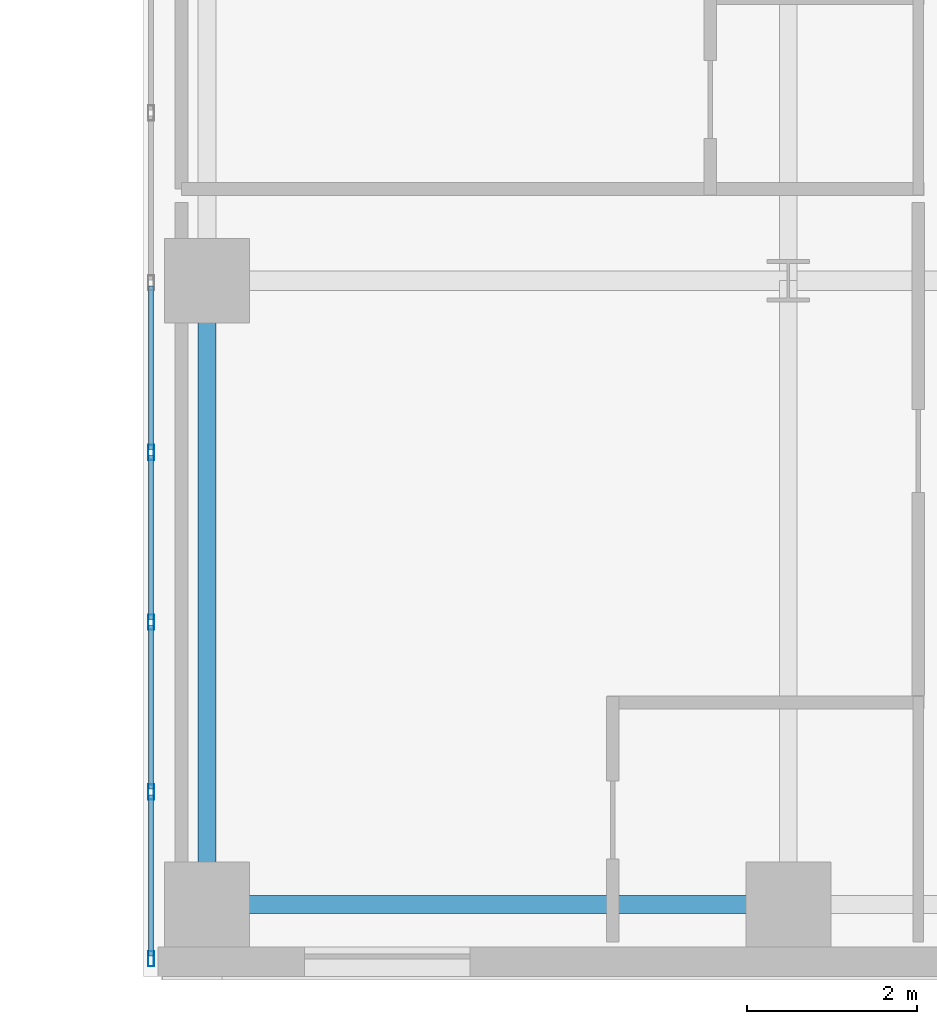
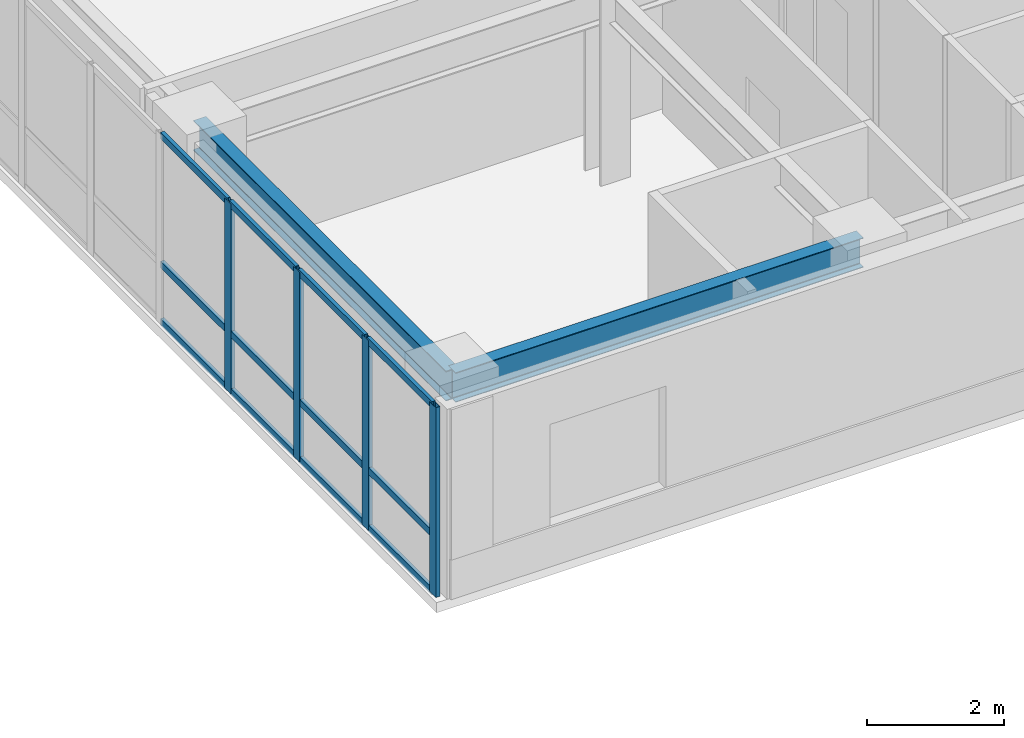
# One storey, part 7 of 24: 16 members, 2 beams, 1 element without a shape of its own.
"""IFC4 building model written with IfcOpenShell, lengths in metres."""

from ifc_helpers import new_model, si_unit, direction, frame, origin, origin_2d, place, context, subcontext, project, spatial, hollow_rectangle, i_section, extrude, source, transform, mapped, material, layer, layer_set, material_profile, profile_set, type_object, type_shapes, element, aggregate, save


model = new_model("IFC4")

# Units and contexts
model_context = context("Model", 3, precision=1e-05, world=origin(), true_north=direction((0.0, 1.0)))
body_context = subcontext(model_context, "Body", "Model", "MODEL_VIEW")
ifc_project = project(units=[si_unit("LENGTHUNIT", "METRE"), si_unit("AREAUNIT", "SQUARE_METRE"), si_unit("VOLUMEUNIT", "CUBIC_METRE"), si_unit("PLANEANGLEUNIT", "RADIAN"), si_unit("MASSUNIT", "GRAM", prefix="KILO")], contexts=[model_context])

# Site, building, storey
site_placement = place(None, origin())
site = spatial("IfcSite", under=ifc_project, at=site_placement, CompositionType="ELEMENT")
building_placement = place(site_placement, origin())
building = spatial("IfcBuilding", under=site, at=building_placement, Name="Tolvann Quenvar Hotel", CompositionType="ELEMENT")
storey_placement = place(building_placement, frame((0.0, 0.0, 67.5)))
storey = spatial("IfcBuildingStorey", under=building, at=storey_placement, Name="L16", CompositionType="ELEMENT", Elevation=67.5)

# Beams
ifc_material_1 = material(Name="Steel Grade 350", Category="steel")
ifc_material_profile_1 = material_profile(ifc_material_1, i_section(OverallWidth=0.208984375, OverallDepth=0.528076171875, WebThickness=0.009521484375, FlangeThickness=0.01318359375, FilletRadius=0.013916015625, at=origin_2d()), Name="530UB82")
ifc_profile_set_1 = profile_set([ifc_material_profile_1], Name="Steel Grade 350")
beam_type_1 = type_object("IfcBeamType", Name="BM_SPAND_530UB82", PredefinedType="SPANDREL", material=ifc_profile_set_1)
shared_shape_1 = source(origin(), body_context, "Body", "SweptSolid", [
    extrude(i_section(OverallWidth=0.208984375, OverallDepth=0.528076171875, WebThickness=0.009521484375, FlangeThickness=0.01318359375, FilletRadius=0.013916015625, at=origin_2d()), origin(), (0.0, 0.0, 1.0), 6.85009765625),
])
type_shapes(beam_type_1, [shared_shape_1])
beam_1_placement = place(storey_placement, frame((34.949951171875, 0.85009765625, 3.10595703125), z_axis=(1.0, 0.0, 0.0), x_axis=(0.0, 1.0, 0.0)))
element("IfcBeam", 1, at=beam_1_placement, inside=storey, type_object=beam_type_1, Name="BM-L16-EW-2-F2-H2", PredefinedType="SPANDREL", context=body_context, shape_type="MappedRepresentation", body=[
    mapped(shared_shape_1, transform((0.0, 0.0, 0.0), x_axis=(1.0, 0.0, 0.0), y_axis=(0.0, 1.0, 0.0), z_axis=(0.0, 0.0, 1.0), scale=1.0)),
])
ifc_material_profile_2 = material_profile(ifc_material_1, i_section(OverallWidth=0.208984375, OverallDepth=0.532958984375, WebThickness=0.01025390625, FlangeThickness=0.015625, FilletRadius=0.013916015625, at=origin_2d()), Name="530UB92")
ifc_profile_set_2 = profile_set([ifc_material_profile_2], Name="Steel Grade 350")
beam_type_2 = type_object("IfcBeamType", Name="BM_GIRD_530UB92", PredefinedType="BEAM", material=ifc_profile_set_2)
shared_shape_2 = source(origin(), body_context, "Body", "SweptSolid", [
    extrude(i_section(OverallWidth=0.208984375, OverallDepth=0.532958984375, WebThickness=0.01025390625, FlangeThickness=0.015625, FilletRadius=0.013916015625, at=origin_2d()), origin(), (0.0, 0.0, 1.0), 7.349853515625),
])
type_shapes(beam_type_2, [shared_shape_2])
beam_2_placement = place(storey_placement, frame((34.949951171875, 0.85009765625, 3.103515625), z_axis=(0.0, 1.0, 0.0), x_axis=(-1.0, 0.0, 0.0)))
element("IfcBeam", 2, at=beam_2_placement, inside=storey, type_object=beam_type_2, Name="BM-L16-NS-F2-F3", PredefinedType="BEAM", context=body_context, shape_type="MappedRepresentation", body=[
    mapped(shared_shape_2, transform((0.0, 0.0, 0.0), x_axis=(1.0, 0.0, 0.0), y_axis=(0.0, 1.0, 0.0), z_axis=(0.0, 0.0, 1.0), scale=1.0)),
])

# Curtain wall, members
ifc_material_2 = material(Name="Thermally broken anodised architectural aluminium 6063-T6 and laminated low-E glass", Category="aluminium")
ifc_layer = layer(ifc_material_2, 0.179931640625)
ifc_layer_set = layer_set([ifc_layer], Name="Thermally broken anodised architectural aluminium 6063-T6 and laminated low-E glass")
curtain_wall_type = type_object("IfcCurtainWallType", Name="CW_SYS_SLOT_03", PredefinedType="USERDEFINED", material=ifc_layer_set)
curtain_wall_placement = place(storey_placement, origin())
curtain_wall = element("IfcCurtainWall", 3, at=curtain_wall_placement, inside=storey, type_object=curtain_wall_type, Name="Curtain Wall CW-SLOT-03 (CWR-L16-E07)", ObjectType="UNITISED CURTAIN WALL", PredefinedType="USERDEFINED")
ifc_material_3 = material(Name="Anodised architectural aluminium 6063-T6 framing", Category="aluminium")
ifc_material_profile_3 = material_profile(ifc_material_3, hollow_rectangle(XDim=0.070068359375, YDim=0.179931640625, WallThickness=0.00390625, at=origin_2d()), Name="180x70x4RHS")
ifc_profile_set_3 = profile_set([ifc_material_profile_3], Name="Anodised architectural aluminium 6063-T6 framing")
member_type_1 = type_object("IfcMemberType", Name="CW_MULL_180x70", PredefinedType="MULLION", material=ifc_profile_set_3)
shared_shape_3 = source(origin(), body_context, "Body", "SweptSolid", [
    extrude(hollow_rectangle(XDim=0.070068359375, YDim=0.179931640625, WallThickness=0.00390625, at=origin_2d()), origin(), (0.0, 0.0, 1.0), 3.3701171875),
])
type_shapes(member_type_1, [shared_shape_3])
member_1_placement = place(storey_placement, frame((34.2900390625, 6.175048828125, 0.0), z_axis=(0.0, 0.0, 1.0), x_axis=(1.0, 0.0, 0.0)))
member_1 = element("IfcMember", 4, at=member_1_placement, type_object=member_type_1, Name="CW-SLOT-03 mullion 6", PredefinedType="MULLION", context=body_context, shape_type="MappedRepresentation", body=[
    mapped(shared_shape_3, transform((0.0, 0.0, 0.0), x_axis=(1.0, 0.0, 0.0), y_axis=(0.0, 1.0, 0.0), z_axis=(0.0, 0.0, 1.0), scale=1.0)),
])
member_2_placement = place(storey_placement, frame((34.2900390625, 4.175048828125, 0.0), z_axis=(0.0, 0.0, 1.0), x_axis=(1.0, 0.0, 0.0)))
member_2 = element("IfcMember", 5, at=member_2_placement, type_object=member_type_1, Name="CW-SLOT-03 mullion 7", PredefinedType="MULLION", context=body_context, shape_type="MappedRepresentation", body=[
    mapped(shared_shape_3, transform((0.0, 0.0, 0.0), x_axis=(1.0, 0.0, 0.0), y_axis=(0.0, 1.0, 0.0), z_axis=(0.0, 0.0, 1.0), scale=1.0)),
])
member_3_placement = place(storey_placement, frame((34.2900390625, 2.175048828125, 0.0), z_axis=(0.0, 0.0, 1.0), x_axis=(1.0, 0.0, 0.0)))
member_3 = element("IfcMember", 6, at=member_3_placement, type_object=member_type_1, Name="CW-SLOT-03 mullion 8", PredefinedType="MULLION", context=body_context, shape_type="MappedRepresentation", body=[
    mapped(shared_shape_3, transform((0.0, 0.0, 0.0), x_axis=(1.0, 0.0, 0.0), y_axis=(0.0, 1.0, 0.0), z_axis=(0.0, 0.0, 1.0), scale=1.0)),
])
member_4_placement = place(storey_placement, frame((34.2900390625, 0.2099609375, 0.0), z_axis=(0.0, 0.0, 1.0), x_axis=(1.0, 0.0, 0.0)))
member_4 = element("IfcMember", 7, at=member_4_placement, type_object=member_type_1, Name="CW-SLOT-03 mullion 9", PredefinedType="MULLION", context=body_context, shape_type="MappedRepresentation", body=[
    mapped(shared_shape_3, transform((0.0, 0.0, 0.0), x_axis=(1.0, 0.0, 0.0), y_axis=(0.0, 1.0, 0.0), z_axis=(0.0, 0.0, 1.0), scale=1.0)),
])
ifc_material_profile_4 = material_profile(ifc_material_3, hollow_rectangle(XDim=0.06005859375, YDim=0.1201171875, WallThickness=0.00341796875, at=origin_2d()), Name="120x60x3.5RHS")
ifc_profile_set_4 = profile_set([ifc_material_profile_4], Name="Anodised architectural aluminium 6063-T6 framing")
member_type_2 = type_object("IfcMemberType", Name="CW_TRAN_120x60", PredefinedType="USERDEFINED", material=ifc_profile_set_4)
shared_shape_4 = source(origin(), body_context, "Body", "SweptSolid", [
    extrude(hollow_rectangle(XDim=0.06005859375, YDim=0.1201171875, WallThickness=0.00341796875, at=origin_2d()), origin(), (0.0, 0.0, 1.0), 1.894775390625),
])
member_5_placement = place(storey_placement, frame((34.2900390625, 2.139892578125, 0.030029296875), z_axis=(0.0, -1.0, 0.0), x_axis=(1.0, 0.0, 0.0)))
member_5 = element("IfcMember", 8, at=member_5_placement, type_object=member_type_2, Name="CW-SLOT-03 transom 8.1", ObjectType="TRANSOM", PredefinedType="USERDEFINED", context=body_context, shape_type="MappedRepresentation", body=[
    mapped(shared_shape_4, transform((0.0, 0.0, 0.0), x_axis=(1.0, 0.0, 0.0), y_axis=(0.0, 1.0, 0.0), z_axis=(0.0, 0.0, 1.0), scale=1.0)),
])
member_6_placement = place(storey_placement, frame((34.2900390625, 2.139892578125, 1.050048828125), z_axis=(0.0, -1.0, 0.0), x_axis=(1.0, 0.0, 0.0)))
member_6 = element("IfcMember", 9, at=member_6_placement, type_object=member_type_2, Name="CW-SLOT-03 transom 8.2", ObjectType="TRANSOM", PredefinedType="USERDEFINED", context=body_context, shape_type="MappedRepresentation", body=[
    mapped(shared_shape_4, transform((0.0, 0.0, 0.0), x_axis=(1.0, 0.0, 0.0), y_axis=(0.0, 1.0, 0.0), z_axis=(0.0, 0.0, 1.0), scale=1.0)),
])
member_7_placement = place(storey_placement, frame((34.2900390625, 2.139892578125, 3.340087890625), z_axis=(0.0, -1.0, 0.0), x_axis=(1.0, 0.0, 0.0)))
member_7 = element("IfcMember", 10, at=member_7_placement, type_object=member_type_2, Name="CW-SLOT-03 transom 8.3", ObjectType="TRANSOM", PredefinedType="USERDEFINED", context=body_context, shape_type="MappedRepresentation", body=[
    mapped(shared_shape_4, transform((0.0, 0.0, 0.0), x_axis=(1.0, 0.0, 0.0), y_axis=(0.0, 1.0, 0.0), z_axis=(0.0, 0.0, 1.0), scale=1.0)),
])
shared_shape_5 = source(origin(), body_context, "Body", "SweptSolid", [
    extrude(hollow_rectangle(XDim=0.06005859375, YDim=0.1201171875, WallThickness=0.00341796875, at=origin_2d()), origin(), (0.0, 0.0, 1.0), 1.929931640625),
])
type_shapes(member_type_2, [shared_shape_4, shared_shape_5])
member_8_placement = place(storey_placement, frame((34.2900390625, 8.139892578125, 0.030029296875), z_axis=(0.0, -1.0, 0.0), x_axis=(1.0, 0.0, 0.0)))
member_8 = element("IfcMember", 11, at=member_8_placement, type_object=member_type_2, Name="CW-SLOT-03 transom 5.1", ObjectType="TRANSOM", PredefinedType="USERDEFINED", context=body_context, shape_type="MappedRepresentation", body=[
    mapped(shared_shape_5, transform((0.0, 0.0, 0.0), x_axis=(1.0, 0.0, 0.0), y_axis=(0.0, 1.0, 0.0), z_axis=(0.0, 0.0, 1.0), scale=1.0)),
])
member_9_placement = place(storey_placement, frame((34.2900390625, 8.139892578125, 1.050048828125), z_axis=(0.0, -1.0, 0.0), x_axis=(1.0, 0.0, 0.0)))
member_9 = element("IfcMember", 12, at=member_9_placement, type_object=member_type_2, Name="CW-SLOT-03 transom 5.2", ObjectType="TRANSOM", PredefinedType="USERDEFINED", context=body_context, shape_type="MappedRepresentation", body=[
    mapped(shared_shape_5, transform((0.0, 0.0, 0.0), x_axis=(1.0, 0.0, 0.0), y_axis=(0.0, 1.0, 0.0), z_axis=(0.0, 0.0, 1.0), scale=1.0)),
])
member_10_placement = place(storey_placement, frame((34.2900390625, 8.139892578125, 3.340087890625), z_axis=(0.0, -1.0, 0.0), x_axis=(1.0, 0.0, 0.0)))
member_10 = element("IfcMember", 13, at=member_10_placement, type_object=member_type_2, Name="CW-SLOT-03 transom 5.3", ObjectType="TRANSOM", PredefinedType="USERDEFINED", context=body_context, shape_type="MappedRepresentation", body=[
    mapped(shared_shape_5, transform((0.0, 0.0, 0.0), x_axis=(1.0, 0.0, 0.0), y_axis=(0.0, 1.0, 0.0), z_axis=(0.0, 0.0, 1.0), scale=1.0)),
])
member_11_placement = place(storey_placement, frame((34.2900390625, 6.139892578125, 0.030029296875), z_axis=(0.0, -1.0, 0.0), x_axis=(1.0, 0.0, 0.0)))
member_11 = element("IfcMember", 14, at=member_11_placement, type_object=member_type_2, Name="CW-SLOT-03 transom 6.1", ObjectType="TRANSOM", PredefinedType="USERDEFINED", context=body_context, shape_type="MappedRepresentation", body=[
    mapped(shared_shape_5, transform((0.0, 0.0, 0.0), x_axis=(1.0, 0.0, 0.0), y_axis=(0.0, 1.0, 0.0), z_axis=(0.0, 0.0, 1.0), scale=1.0)),
])
member_12_placement = place(storey_placement, frame((34.2900390625, 6.139892578125, 1.050048828125), z_axis=(0.0, -1.0, 0.0), x_axis=(1.0, 0.0, 0.0)))
member_12 = element("IfcMember", 15, at=member_12_placement, type_object=member_type_2, Name="CW-SLOT-03 transom 6.2", ObjectType="TRANSOM", PredefinedType="USERDEFINED", context=body_context, shape_type="MappedRepresentation", body=[
    mapped(shared_shape_5, transform((0.0, 0.0, 0.0), x_axis=(1.0, 0.0, 0.0), y_axis=(0.0, 1.0, 0.0), z_axis=(0.0, 0.0, 1.0), scale=1.0)),
])
member_13_placement = place(storey_placement, frame((34.2900390625, 6.139892578125, 3.340087890625), z_axis=(0.0, -1.0, 0.0), x_axis=(1.0, 0.0, 0.0)))
member_13 = element("IfcMember", 16, at=member_13_placement, type_object=member_type_2, Name="CW-SLOT-03 transom 6.3", ObjectType="TRANSOM", PredefinedType="USERDEFINED", context=body_context, shape_type="MappedRepresentation", body=[
    mapped(shared_shape_5, transform((0.0, 0.0, 0.0), x_axis=(1.0, 0.0, 0.0), y_axis=(0.0, 1.0, 0.0), z_axis=(0.0, 0.0, 1.0), scale=1.0)),
])
member_14_placement = place(storey_placement, frame((34.2900390625, 4.139892578125, 0.030029296875), z_axis=(0.0, -1.0, 0.0), x_axis=(1.0, 0.0, 0.0)))
member_14 = element("IfcMember", 17, at=member_14_placement, type_object=member_type_2, Name="CW-SLOT-03 transom 7.1", ObjectType="TRANSOM", PredefinedType="USERDEFINED", context=body_context, shape_type="MappedRepresentation", body=[
    mapped(shared_shape_5, transform((0.0, 0.0, 0.0), x_axis=(1.0, 0.0, 0.0), y_axis=(0.0, 1.0, 0.0), z_axis=(0.0, 0.0, 1.0), scale=1.0)),
])
member_15_placement = place(storey_placement, frame((34.2900390625, 4.139892578125, 1.050048828125), z_axis=(0.0, -1.0, 0.0), x_axis=(1.0, 0.0, 0.0)))
member_15 = element("IfcMember", 18, at=member_15_placement, type_object=member_type_2, Name="CW-SLOT-03 transom 7.2", ObjectType="TRANSOM", PredefinedType="USERDEFINED", context=body_context, shape_type="MappedRepresentation", body=[
    mapped(shared_shape_5, transform((0.0, 0.0, 0.0), x_axis=(1.0, 0.0, 0.0), y_axis=(0.0, 1.0, 0.0), z_axis=(0.0, 0.0, 1.0), scale=1.0)),
])
member_16_placement = place(storey_placement, frame((34.2900390625, 4.139892578125, 3.340087890625), z_axis=(0.0, -1.0, 0.0), x_axis=(1.0, 0.0, 0.0)))
member_16 = element("IfcMember", 19, at=member_16_placement, type_object=member_type_2, Name="CW-SLOT-03 transom 7.3", ObjectType="TRANSOM", PredefinedType="USERDEFINED", context=body_context, shape_type="MappedRepresentation", body=[
    mapped(shared_shape_5, transform((0.0, 0.0, 0.0), x_axis=(1.0, 0.0, 0.0), y_axis=(0.0, 1.0, 0.0), z_axis=(0.0, 0.0, 1.0), scale=1.0)),
])
aggregate(curtain_wall, [member_1, member_2, member_3, member_4, member_8, member_9, member_10, member_11, member_12, member_13, member_14, member_15, member_16, member_5, member_6, member_7])

save(model, "model.ifc")
